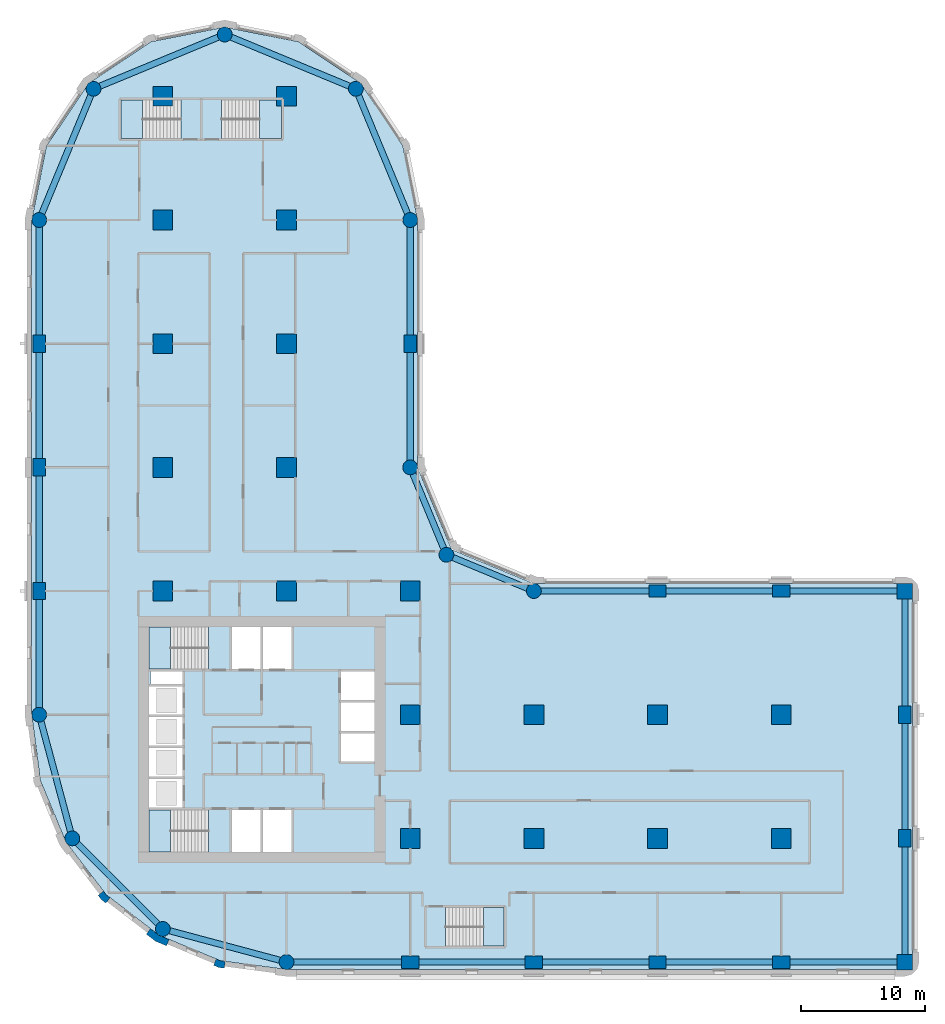
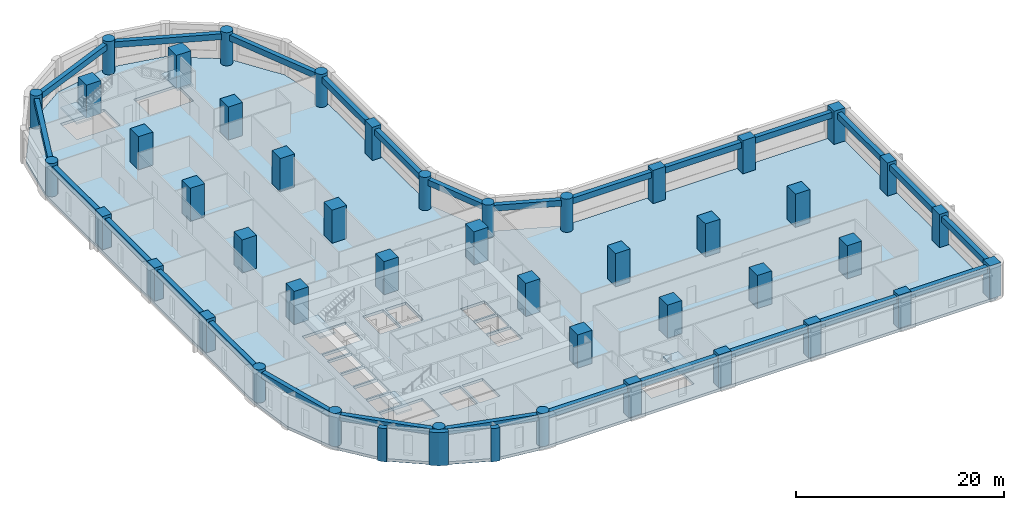
# One storey, part 1 of 10: 45 columns, 26 beams, 6 slabs, 3 walls, 5 elements without a shape of their own.
"""IFC4 building model written with IfcOpenShell, lengths in metres."""

from ifc_helpers import new_model, si_unit, direction, frame, origin, origin_2d, place, context, subcontext, project, spatial, polyline, rectangle, circle, outline, extrude, material, layer, layer_set, material_profile, profile_set, type_object, element, aggregate, save


model = new_model("IFC4")

# Units and contexts
model_context = context("Model", 3, precision=1e-05, world=origin(), true_north=direction((0.0, 1.0)))
body_context = subcontext(model_context, "Body", "Model", "MODEL_VIEW")
ifc_project = project(units=[si_unit("LENGTHUNIT", "METRE"), si_unit("AREAUNIT", "SQUARE_METRE"), si_unit("VOLUMEUNIT", "CUBIC_METRE"), si_unit("PLANEANGLEUNIT", "RADIAN"), si_unit("MASSUNIT", "GRAM", prefix="KILO")], contexts=[model_context])

# Site, building, storey
site_placement = place(None, origin())
site = spatial("IfcSite", under=ifc_project, at=site_placement, CompositionType="ELEMENT")
building_placement = place(site_placement, origin())
building = spatial("IfcBuilding", under=site, at=building_placement, Name="Qaws Garden Tower", CompositionType="ELEMENT")
storey_placement = place(building_placement, frame((0.0, 0.0, 101.699951171875)))
storey = spatial("IfcBuildingStorey", under=building, at=storey_placement, Name="L25", CompositionType="ELEMENT", Elevation=101.699951171875)

# Columns
ifc_material_1 = material(Name="Concrete C80", Category="concrete")
ifc_material_profile_1 = material_profile(ifc_material_1, rectangle(XDim=1.25, YDim=1.25, at=origin_2d()), Name="RC 1250x1250")
ifc_profile_set_1 = profile_set([ifc_material_profile_1], Name="Concrete C80")
column_type_1 = type_object("IfcColumnType", Name="Column RC 1250x1250 C80", PredefinedType="COLUMN", material=ifc_profile_set_1)
for number, where, z_axis, x_axis, name in (
    (1, (70.0, 0.0, 0.0), (0.0, 0.0, 1.0), (1.0, 0.0, 0.0), "Column L25-006"),
    (2, (70.0, 30.0, 0.0), (0.0, 0.0, 1.0), (1.0, 0.0, 0.0), "Column L25-009"),
):
    element("IfcColumn", number, at=place(storey_placement, frame(where, z_axis=z_axis, x_axis=x_axis)), inside=storey, type_object=column_type_1, Name=name, PredefinedType="COLUMN", context=body_context, shape_type="SweptSolid", body=[
        extrude(rectangle(XDim=1.25, YDim=1.25, at=origin_2d()), origin(), (0.0, 0.0, 1.0), 3.900146484375),
    ])
ifc_material_2 = material(Name="Concrete C80", Category="concrete")
ifc_material_profile_2 = material_profile(ifc_material_2, rectangle(XDim=1.39990234375, YDim=1.0, at=origin_2d()), Name="RC 1400x1000")
ifc_profile_set_2 = profile_set([ifc_material_profile_2], Name="Concrete C80")
column_type_2 = type_object("IfcColumnType", Name="Column RC 1400x1000 C80", PredefinedType="COLUMN", material=ifc_profile_set_2)
for number, where, z_axis, x_axis, name in (
    (3, (30.0, 0.0, 0.0), (0.0, 0.0, 1.0), (1.0, 0.0, 0.0), "Column L25-002"),
    (4, (40.0, 0.0, 0.0), (0.0, 0.0, 1.0), (1.0, 0.0, 0.0), "Column L25-003"),
    (5, (50.0, 0.0, 0.0), (0.0, 0.0, 1.0), (1.0, 0.0, 0.0), "Column L25-004"),
    (6, (60.0, 0.0, 0.0), (0.0, 0.0, 1.0), (1.0, 0.0, 0.0), "Column L25-005"),
    (7, (70.0, 10.0, 0.0), (0.0, 0.0, 1.0), (0.0, 1.0, 0.0), "Column L25-007"),
    (8, (70.0, 20.0, 0.0), (0.0, 0.0, 1.0), (0.0, 1.0, 0.0), "Column L25-008"),
    (9, (60.0, 30.0, 0.0), (0.0, 0.0, 1.0), (1.0, 0.0, 0.0), "Column L25-010"),
    (10, (50.0, 30.0, 0.0), (0.0, 0.0, 1.0), (1.0, 0.0, 0.0), "Column L25-011"),
    (11, (30.0, 50.0, 0.0), (0.0, 0.0, 1.0), (0.0, 1.0, 0.0), "Column L25-015"),
    (12, (0.0, 50.0, 0.0), (0.0, 0.0, 1.0), (0.0, 1.0, 0.0), "Column L25-021"),
    (13, (0.0, 40.0, 0.0), (0.0, 0.0, 1.0), (0.0, 1.0, 0.0), "Column L25-022"),
    (14, (0.0, 30.0, 0.0), (0.0, 0.0, 1.0), (0.0, 1.0, 0.0), "Column L25-023"),
):
    element("IfcColumn", number, at=place(storey_placement, frame(where, z_axis=z_axis, x_axis=x_axis)), inside=storey, type_object=column_type_2, Name=name, PredefinedType="COLUMN", context=body_context, shape_type="SweptSolid", body=[
        extrude(rectangle(XDim=1.39990234375, YDim=1.0, at=origin_2d()), origin(), (0.0, 0.0, 1.0), 3.900146484375),
    ])
ifc_material_3 = material(Name="Concrete C80", Category="concrete")
ifc_material_profile_3 = material_profile(ifc_material_3, rectangle(XDim=1.60009765625, YDim=1.60009765625, at=origin_2d()), Name="RC 1600x1600")
ifc_profile_set_3 = profile_set([ifc_material_profile_3], Name="Concrete C80")
column_type_3 = type_object("IfcColumnType", Name="Column RC 1600x1600 C80", PredefinedType="COLUMN", material=ifc_profile_set_3)
for number, where, z_axis, x_axis, name in (
    (15, (10.0, 30.0, 0.0), (0.0, 0.0, 1.0), (1.0, 0.0, 0.0), "Column L25-027"),
    (16, (10.0, 40.0, 0.0), (0.0, 0.0, 1.0), (1.0, 0.0, 0.0), "Column L25-028"),
    (17, (10.0, 50.0, 0.0), (0.0, 0.0, 1.0), (1.0, 0.0, 0.0), "Column L25-029"),
    (18, (10.0, 60.0, 0.0), (0.0, 0.0, 1.0), (1.0, 0.0, 0.0), "Column L25-030"),
    (19, (10.0, 70.0, 0.0), (0.0, 0.0, 1.0), (1.0, 0.0, 0.0), "Column L25-031"),
    (20, (20.0, 30.0, 0.0), (0.0, 0.0, 1.0), (1.0, 0.0, 0.0), "Column L25-032"),
    (21, (20.0, 40.0, 0.0), (0.0, 0.0, 1.0), (1.0, 0.0, 0.0), "Column L25-033"),
    (22, (20.0, 50.0, 0.0), (0.0, 0.0, 1.0), (1.0, 0.0, 0.0), "Column L25-034"),
    (23, (20.0, 60.0, 0.0), (0.0, 0.0, 1.0), (1.0, 0.0, 0.0), "Column L25-035"),
    (24, (20.0, 70.0, 0.0), (0.0, 0.0, 1.0), (1.0, 0.0, 0.0), "Column L25-036"),
    (25, (30.0, 10.0, 0.0), (0.0, 0.0, 1.0), (1.0, 0.0, 0.0), "Column L25-037"),
    (26, (30.0, 20.0, 0.0), (0.0, 0.0, 1.0), (1.0, 0.0, 0.0), "Column L25-038"),
    (27, (30.0, 30.0, 0.0), (0.0, 0.0, 1.0), (1.0, 0.0, 0.0), "Column L25-039"),
    (28, (40.0, 10.0, 0.0), (0.0, 0.0, 1.0), (1.0, 0.0, 0.0), "Column L25-040"),
    (29, (40.0, 20.0, 0.0), (0.0, 0.0, 1.0), (1.0, 0.0, 0.0), "Column L25-041"),
    (30, (50.0, 10.0, 0.0), (0.0, 0.0, 1.0), (1.0, 0.0, 0.0), "Column L25-042"),
    (31, (50.0, 20.0, 0.0), (0.0, 0.0, 1.0), (1.0, 0.0, 0.0), "Column L25-043"),
    (32, (60.0, 10.0, 0.0), (0.0, 0.0, 1.0), (1.0, 0.0, 0.0), "Column L25-044"),
    (33, (60.0, 20.0, 0.0), (0.0, 0.0, 1.0), (1.0, 0.0, 0.0), "Column L25-045"),
):
    element("IfcColumn", number, at=place(storey_placement, frame(where, z_axis=z_axis, x_axis=x_axis)), inside=storey, type_object=column_type_3, Name=name, PredefinedType="COLUMN", context=body_context, shape_type="SweptSolid", body=[
        extrude(rectangle(XDim=1.60009765625, YDim=1.60009765625, at=origin_2d()), origin(), (0.0, 0.0, 1.0), 3.900146484375),
    ])
ifc_material_4 = material(Name="Concrete C80", Category="concrete")
ifc_material_profile_4 = material_profile(ifc_material_4, circle(Radius=0.60009765625, at=origin_2d()), Name="RC D1200")
ifc_profile_set_4 = profile_set([ifc_material_profile_4], Name="Concrete C80")
column_type_4 = type_object("IfcColumnType", Name="Column RC D1200 C80", PredefinedType="COLUMN", material=ifc_profile_set_4)
for number, where, z_axis, x_axis, name in (
    (34, (20.0, 0.0, 0.0), (0.0, 0.0, 1.0), (1.0, 0.0, 0.0), "Column L25-001"),
    (35, (40.0, 30.0, 0.0), (0.0, 0.0, 1.0), (1.0, 0.0, 0.0), "Column L25-012"),
    (36, (32.928955078125, 32.928955078125, 0.0), (0.0, 0.0, 1.0), (1.0, 0.0, 0.0), "Column L25-013"),
    (37, (30.0, 40.0, 0.0), (0.0, 0.0, 1.0), (1.0, 0.0, 0.0), "Column L25-014"),
    (38, (30.0, 60.0, 0.0), (0.0, 0.0, 1.0), (1.0, 0.0, 0.0), "Column L25-016"),
    (39, (25.606689453125, 70.606689453125, 0.0), (0.0, 0.0, 1.0), (1.0, 0.0, 0.0), "Column L25-017"),
    (40, (15.0, 75.0, 0.0), (0.0, 0.0, 1.0), (1.0, 0.0, 0.0), "Column L25-018"),
    (41, (4.393310546875, 70.606689453125, 0.0), (0.0, 0.0, 1.0), (1.0, 0.0, 0.0), "Column L25-019"),
    (42, (0.0, 60.0, 0.0), (0.0, 0.0, 1.0), (1.0, 0.0, 0.0), "Column L25-020"),
    (43, (0.0, 20.0, 0.0), (0.0, 0.0, 1.0), (1.0, 0.0, 0.0), "Column L25-024"),
    (44, (2.679443359375, 10.0, 0.0), (0.0, 0.0, 1.0), (1.0, 0.0, 0.0), "Column L25-025"),
    (45, (10.0, 2.679443359375, 0.0), (0.0, 0.0, 1.0), (1.0, 0.0, 0.0), "Column L25-026"),
):
    element("IfcColumn", number, at=place(storey_placement, frame(where, z_axis=z_axis, x_axis=x_axis)), inside=storey, type_object=column_type_4, Name=name, PredefinedType="COLUMN", context=body_context, shape_type="SweptSolid", body=[
        extrude(circle(Radius=0.60009765625, at=origin_2d()), origin(), (0.0, 0.0, 1.0), 3.900146484375),
    ])

# Beams
ifc_material_5 = material(Name="Concrete C45", Category="concrete")
ifc_material_profile_5 = material_profile(ifc_material_5, rectangle(XDim=0.5, YDim=0.699951171875, at=origin_2d()), Name="RC 500x700")
ifc_profile_set_5 = profile_set([ifc_material_profile_5], Name="Concrete C45")
beam_type = type_object("IfcBeamType", Name="Spandrel beam RC 500x700 C45", PredefinedType="SPANDREL", material=ifc_profile_set_5)
for number, where, z_axis, x_axis, name in (
    (46, (20.0, 0.0, 3.22998046875), (1.0, 0.0, 0.0), (0.0, 1.0, 0.0), "Spandrel beam L25-001"),
    (47, (30.0, 0.0, 3.22998046875), (1.0, 0.0, 0.0), (0.0, 1.0, 0.0), "Spandrel beam L25-002"),
    (48, (40.0, 0.0, 3.22998046875), (1.0, 0.0, 0.0), (0.0, 1.0, 0.0), "Spandrel beam L25-003"),
    (49, (50.0, 0.0, 3.22998046875), (1.0, 0.0, 0.0), (0.0, 1.0, 0.0), "Spandrel beam L25-004"),
    (50, (60.0, 0.0, 3.22998046875), (1.0, 0.0, 0.0), (0.0, 1.0, 0.0), "Spandrel beam L25-005"),
    (51, (70.0, 0.0, 3.22998046875), (0.0, 1.0, 0.0), (-1.0, 0.0, 0.0), "Spandrel beam L25-006"),
    (52, (70.0, 10.0, 3.22998046875), (0.0, 1.0, 0.0), (-1.0, 0.0, 0.0), "Spandrel beam L25-007"),
    (53, (70.0, 20.0, 3.22998046875), (0.0, 1.0, 0.0), (-1.0, 0.0, 0.0), "Spandrel beam L25-008"),
    (54, (70.0, 30.0, 3.22998046875), (-1.0, 0.0, 0.0), (0.0, -1.0, 0.0), "Spandrel beam L25-009"),
    (55, (60.0, 30.0, 3.22998046875), (-1.0, 0.0, 0.0), (0.0, -1.0, 0.0), "Spandrel beam L25-010"),
    (56, (50.0, 30.0, 3.22998046875), (-1.0, 0.0, 0.0), (0.0, -1.0, 0.0), "Spandrel beam L25-011"),
):
    element("IfcBeam", number, at=place(storey_placement, frame(where, z_axis=z_axis, x_axis=x_axis)), inside=storey, type_object=beam_type, Name=name, PredefinedType="SPANDREL", context=body_context, shape_type="SweptSolid", body=[
        extrude(rectangle(XDim=0.5, YDim=0.699951171875, at=origin_2d()), origin(), (0.0, 0.0, 1.0), 10.0),
    ])
for number, where, z_axis, x_axis, name in (
    (57, (40.0, 30.0, 3.22998046875), (-0.923878037141, 0.382687042488, 0.0), (-0.382687042488, -0.923878037141, 0.0), "Spandrel beam L25-012"),
    (58, (32.928955078125, 32.928955078125, 3.22998046875), (-0.382687042488, 0.923878037141, 0.0), (-0.923878037141, -0.382687042488, 0.0), "Spandrel beam L25-013"),
):
    element("IfcBeam", number, at=place(storey_placement, frame(where, z_axis=z_axis, x_axis=x_axis)), inside=storey, type_object=beam_type, Name=name, PredefinedType="SPANDREL", context=body_context, shape_type="SweptSolid", body=[
        extrude(rectangle(XDim=0.5, YDim=0.699951171875, at=origin_2d()), origin(), (0.0, 0.0, 1.0), 7.653564453125),
    ])
for number, where, z_axis, x_axis, name in (
    (59, (30.0, 40.0, 3.22998046875), (0.0, 1.0, 0.0), (-1.0, 0.0, 0.0), "Spandrel beam L25-014"),
    (60, (30.0, 50.0, 3.22998046875), (0.0, 1.0, 0.0), (-1.0, 0.0, 0.0), "Spandrel beam L25-015"),
):
    element("IfcBeam", number, at=place(storey_placement, frame(where, z_axis=z_axis, x_axis=x_axis)), inside=storey, type_object=beam_type, Name=name, PredefinedType="SPANDREL", context=body_context, shape_type="SweptSolid", body=[
        extrude(rectangle(XDim=0.5, YDim=0.699951171875, at=origin_2d()), origin(), (0.0, 0.0, 1.0), 10.0),
    ])
for number, where, z_axis, x_axis, name in (
    (61, (30.0, 60.0, 3.22998046875), (-0.382674207535, 0.923883353507, 0.0), (-0.923883353507, -0.382674207535, 0.0), "Spandrel beam L25-016"),
    (62, (25.606689453125, 70.606689453125, 3.22998046875), (-0.923883353507, 0.382674207535, 0.0), (-0.382674207535, -0.923883353507, 0.0), "Spandrel beam L25-017"),
    (63, (15.0, 75.0, 3.22998046875), (-0.923883353507, -0.382674207535, 0.0), (0.382674207535, -0.923883353507, 0.0), "Spandrel beam L25-018"),
    (64, (4.393310546875, 70.606689453125, 3.22998046875), (-0.382674207535, -0.923883353507, 0.0), (0.923883353507, -0.382674207535, 0.0), "Spandrel beam L25-019"),
):
    element("IfcBeam", number, at=place(storey_placement, frame(where, z_axis=z_axis, x_axis=x_axis)), inside=storey, type_object=beam_type, Name=name, PredefinedType="SPANDREL", context=body_context, shape_type="SweptSolid", body=[
        extrude(rectangle(XDim=0.5, YDim=0.699951171875, at=origin_2d()), origin(), (0.0, 0.0, 1.0), 11.48046875),
    ])
for number, where, z_axis, x_axis, name in (
    (65, (0.0, 60.0, 3.22998046875), (0.0, -1.0, 0.0), (1.0, 0.0, 0.0), "Spandrel beam L25-020"),
    (66, (0.0, 50.0, 3.22998046875), (0.0, -1.0, 0.0), (1.0, 0.0, 0.0), "Spandrel beam L25-021"),
    (67, (0.0, 40.0, 3.22998046875), (0.0, -1.0, 0.0), (1.0, 0.0, 0.0), "Spandrel beam L25-022"),
    (68, (0.0, 30.0, 3.22998046875), (0.0, -1.0, 0.0), (1.0, 0.0, 0.0), "Spandrel beam L25-023"),
):
    element("IfcBeam", number, at=place(storey_placement, frame(where, z_axis=z_axis, x_axis=x_axis)), inside=storey, type_object=beam_type, Name=name, PredefinedType="SPANDREL", context=body_context, shape_type="SweptSolid", body=[
        extrude(rectangle(XDim=0.5, YDim=0.699951171875, at=origin_2d()), origin(), (0.0, 0.0, 1.0), 10.0),
    ])
for number, where, z_axis, x_axis, name in (
    (69, (0.0, 20.0, 3.22998046875), (0.25881466832, -0.965926999034, 0.0), (0.965926999034, 0.25881466832, 0.0), "Spandrel beam L25-024"),
    (70, (2.679443359375, 10.0, 3.22998046875), (0.707106781187, -0.707106781187, 0.0), (0.707106781187, 0.707106781187, 0.0), "Spandrel beam L25-025"),
    (71, (10.0, 2.679443359375, 3.22998046875), (0.965926999034, -0.25881466832, 0.0), (0.25881466832, 0.965926999034, 0.0), "Spandrel beam L25-026"),
):
    element("IfcBeam", number, at=place(storey_placement, frame(where, z_axis=z_axis, x_axis=x_axis)), inside=storey, type_object=beam_type, Name=name, PredefinedType="SPANDREL", context=body_context, shape_type="SweptSolid", body=[
        extrude(rectangle(XDim=0.5, YDim=0.699951171875, at=origin_2d()), origin(), (0.0, 0.0, 1.0), 10.352783203125),
    ])

# Slab
ifc_material_6 = material(Name="Concrete C40", Category="concrete")
ifc_layer_1 = layer(ifc_material_6, 0.320068359375)
ifc_layer_set_1 = layer_set([ifc_layer_1], Name="Concrete C40")
slab_type_1 = type_object("IfcSlabType", Name="Floor slab 320 C40", PredefinedType="FLOOR", material=ifc_layer_set_1)
slab_1_placement = place(storey_placement, frame((0.0, 0.0, -0.320068359375)))
element("IfcSlab", 72, at=slab_1_placement, inside=storey, type_object=slab_type_1, Name="Floor slab L25", PredefinedType="FLOOR", context=body_context, shape_type="SweptSolid", body=[
    extrude(outline(polyline([(0.101806640625, 14.668212890625), (-0.60009765625, 20.0), (-0.60009765625, 30.60009765625), (-0.60009765625, 60.0), (-0.60009765625, 60.0), (0.58740234375, 65.969970703125), (3.968994140625, 71.031005859375), (9.030029296875, 74.41259765625), (15.0, 75.60009765625), (20.969970703125, 74.41259765625), (26.031005859375, 71.031005859375), (29.41259765625, 65.969970703125), (30.60009765625, 60.0), (30.60009765625, 40.0), (33.353271484375, 33.353271484375), (40.0, 30.60009765625), (70.0, 30.60009765625), (70.42431640625, 30.42431640625), (70.60009765625, 30.0), (70.60009765625, 0.0), (70.42431640625, -0.42431640625), (70.0, -0.60009765625), (30.60009765625, -0.60009765625), (20.0, -0.60009765625), (14.668212890625, 0.101806640625), (9.699951171875, 2.159912109375), (5.43359375, 5.43359375), (2.159912109375, 9.699951171875), (0.101806640625, 14.668212890625)]), holes=[polyline([(13.699462890625, 12.300048828125), (8.89990234375, 12.300048828125), (8.89990234375, 8.89990234375), (13.699462890625, 8.89990234375), (13.699462890625, 12.300048828125)]), polyline([(17.89990234375, 12.300048828125), (15.60009765625, 12.300048828125), (15.60009765625, 8.89990234375), (17.89990234375, 8.89990234375), (17.89990234375, 12.300048828125)]), polyline([(11.60009765625, 14.800048828125), (8.89990234375, 14.800048828125), (8.89990234375, 12.5), (11.60009765625, 12.5), (11.60009765625, 14.800048828125)]), polyline([(11.60009765625, 17.300048828125), (8.89990234375, 17.300048828125), (8.89990234375, 15.0), (11.60009765625, 15.0), (11.60009765625, 17.300048828125)]), polyline([(11.60009765625, 19.800048828125), (8.89990234375, 19.800048828125), (8.89990234375, 17.5), (11.60009765625, 17.5), (11.60009765625, 19.800048828125)]), polyline([(11.60009765625, 22.300048828125), (8.89990234375, 22.300048828125), (8.89990234375, 20.0), (11.60009765625, 20.0), (11.60009765625, 22.300048828125)]), polyline([(11.60009765625, 23.5), (9.0, 23.5), (9.0, 22.5), (11.60009765625, 22.5), (11.60009765625, 23.5)]), polyline([(13.699462890625, 27.10009765625), (8.89990234375, 27.10009765625), (8.89990234375, 23.699951171875), (13.699462890625, 23.699951171875), (13.699462890625, 27.10009765625)]), polyline([(11.449462890625, 69.699951171875), (6.60009765625, 69.699951171875), (6.60009765625, 66.60009765625), (11.449462890625, 66.60009765625), (11.449462890625, 69.699951171875)]), polyline([(37.60009765625, 4.39990234375), (32.8505859375, 4.39990234375), (32.8505859375, 1.300048828125), (37.60009765625, 1.300048828125), (37.60009765625, 4.39990234375)]), polyline([(20.39990234375, 12.300048828125), (18.10009765625, 12.300048828125), (18.10009765625, 8.89990234375), (20.39990234375, 8.89990234375), (20.39990234375, 12.300048828125)]), polyline([(27.10009765625, 18.5), (24.39990234375, 18.5), (24.39990234375, 16.199951171875), (27.10009765625, 16.199951171875), (27.10009765625, 18.5)]), polyline([(27.10009765625, 21.0), (24.39990234375, 21.0), (24.39990234375, 18.699951171875), (27.10009765625, 18.699951171875), (27.10009765625, 21.0)]), polyline([(27.10009765625, 23.5), (24.39990234375, 23.5), (24.39990234375, 21.199951171875), (27.10009765625, 21.199951171875), (27.10009765625, 23.5)]), polyline([(17.89990234375, 27.10009765625), (15.60009765625, 27.10009765625), (15.60009765625, 23.699951171875), (17.89990234375, 23.699951171875), (17.89990234375, 27.10009765625)]), polyline([(20.39990234375, 23.699951171875), (20.39990234375, 27.10009765625), (18.10009765625, 27.10009765625), (18.10009765625, 23.699951171875), (20.39990234375, 23.699951171875)]), polyline([(19.60009765625, 66.60009765625), (19.60009765625, 69.699951171875), (14.75048828125, 69.699951171875), (14.75048828125, 66.60009765625), (19.60009765625, 66.60009765625)])]), origin(), (0.0, 0.0, 1.0), 0.320068359375),
])

# Stair, slab
ifc_material_7 = material(Name="Concrete C40", Category="concrete")
stair_type_1 = type_object("IfcStairType", Name="Exit stair 1500", PredefinedType="HALF_TURN_STAIR", material=ifc_material_7)
placement_1 = place(storey_placement, origin())
stair_1 = element("IfcStair", 73, at=placement_1, inside=storey, type_object=stair_type_1, Name="Stair 1", PredefinedType="HALF_TURN_STAIR")
ifc_material_8 = material(Name="Concrete C40", Category="concrete")
ifc_layer_2 = layer(ifc_material_8, 0.199951171875)
ifc_layer_set_2 = layer_set([ifc_layer_2], Name="Concrete C40")
slab_type_2 = type_object("IfcSlabType", Name="Stair landing 200", PredefinedType="LANDING", material=ifc_layer_set_2)
placement_2 = place(storey_placement, frame((0.0, 0.0, 1.75)))
slab_2 = element("IfcSlab", 74, at=placement_2, type_object=slab_type_2, Name="ST1 landing 1", PredefinedType="LANDING", context=body_context, shape_type="SweptSolid", body=[
    extrude(outline(polyline([(8.89990234375, 8.89990234375), (10.6201171875, 8.89990234375), (10.6201171875, 12.300048828125), (8.89990234375, 12.300048828125), (8.89990234375, 8.89990234375)])), origin(), (0.0, 0.0, 1.0), 0.199951171875),
])
aggregate(stair_1, [slab_2])

stair_2 = element("IfcStair", 75, at=placement_1, inside=storey, type_object=stair_type_1, Name="Stair 4", PredefinedType="HALF_TURN_STAIR")
slab_3 = element("IfcSlab", 76, at=placement_2, type_object=slab_type_2, Name="ST4 landing 1", PredefinedType="LANDING", context=body_context, shape_type="SweptSolid", body=[
    extrude(outline(polyline([(8.89990234375, 23.699951171875), (10.6201171875, 23.699951171875), (10.6201171875, 27.10009765625), (8.89990234375, 27.10009765625), (8.89990234375, 23.699951171875)])), origin(), (0.0, 0.0, 1.0), 0.199951171875),
])
aggregate(stair_2, [slab_3])

ifc_material_9 = material(Name="Concrete C40", Category="concrete")
stair_type_2 = type_object("IfcStairType", Name="Exit stair 1350", PredefinedType="HALF_TURN_STAIR", material=ifc_material_9)
stair_3 = element("IfcStair", 77, at=placement_1, inside=storey, type_object=stair_type_2, Name="Stair 5", PredefinedType="HALF_TURN_STAIR")
slab_4 = element("IfcSlab", 78, at=placement_2, type_object=slab_type_2, Name="ST5 landing 1", PredefinedType="LANDING", context=body_context, shape_type="SweptSolid", body=[
    extrude(outline(polyline([(35.929931640625, 1.300048828125), (37.60009765625, 1.300048828125), (37.60009765625, 4.39990234375), (35.929931640625, 4.39990234375), (35.929931640625, 1.300048828125)])), origin(), (0.0, 0.0, 1.0), 0.199951171875),
])
aggregate(stair_3, [slab_4])

stair_4 = element("IfcStair", 79, at=placement_1, inside=storey, type_object=stair_type_2, Name="Stair 6", PredefinedType="HALF_TURN_STAIR")
slab_5 = element("IfcSlab", 80, at=placement_2, type_object=slab_type_2, Name="ST6 landing 1", PredefinedType="LANDING", context=body_context, shape_type="SweptSolid", body=[
    extrude(outline(polyline([(6.60009765625, 66.60009765625), (8.3701171875, 66.60009765625), (8.3701171875, 69.699951171875), (6.60009765625, 69.699951171875), (6.60009765625, 66.60009765625)])), origin(), (0.0, 0.0, 1.0), 0.199951171875),
])
aggregate(stair_4, [slab_5])

stair_5 = element("IfcStair", 81, at=placement_1, inside=storey, type_object=stair_type_2, Name="Stair 7", PredefinedType="HALF_TURN_STAIR")
slab_6 = element("IfcSlab", 82, at=placement_2, type_object=slab_type_2, Name="ST7 landing 1", PredefinedType="LANDING", context=body_context, shape_type="SweptSolid", body=[
    extrude(outline(polyline([(17.830078125, 66.60009765625), (19.60009765625, 66.60009765625), (19.60009765625, 69.699951171875), (17.830078125, 69.699951171875), (17.830078125, 66.60009765625)])), origin(), (0.0, 0.0, 1.0), 0.199951171875),
])
aggregate(stair_5, [slab_6])

# Walls
ifc_material_10 = material(Name="Clay facing brick masonry", Category="masonry")
ifc_layer_3 = layer(ifc_material_10, 0.550048828125)
ifc_layer_set_3 = layer_set([ifc_layer_3], Name="Clay facing brick masonry")
wall_type_1 = type_object("IfcWallType", Name="Brick kink pier 550 x 600", PredefinedType="SOLIDWALL", material=ifc_layer_set_3)
element("IfcWall", 83, at=placement_1, inside=storey, type_object=wall_type_1, Name="E-L25-pier-30", PredefinedType="SOLIDWALL", context=body_context, shape_type="SweptSolid", body=[
    extrude(outline(polyline([(4.8818359375, 5.487060546875), (4.762939453125, 5.395751953125), (5.03759765625, 5.03759765625), (5.395751953125, 4.762939453125), (5.487060546875, 4.8818359375), (5.730712890625, 5.19921875), (5.429931640625, 5.429931640625), (5.19921875, 5.730712890625), (4.8818359375, 5.487060546875)])), origin(), (0.0, 0.0, 1.0), 3.900146484375),
])
element("IfcWall", 84, at=placement_1, inside=storey, type_object=wall_type_1, Name="E-L25-pier-32", PredefinedType="SOLIDWALL", context=body_context, shape_type="SweptSolid", body=[
    extrude(outline(polyline([(14.163818359375, -0.127685546875), (14.1064453125, -0.26611328125), (14.5234375, -0.43896484375), (14.970947265625, -0.497802734375), (14.990478515625, -0.34912109375), (15.042724609375, 0.04736328125), (14.6669921875, 0.096923828125), (14.31689453125, 0.241943359375), (14.163818359375, -0.127685546875)])), origin(), (0.0, 0.0, 1.0), 3.900146484375),
])
ifc_material_11 = material(Name="Clay facing brick masonry", Category="masonry")
ifc_layer_4 = layer(ifc_material_11, 0.550048828125)
ifc_layer_set_4 = layer_set([ifc_layer_4], Name="Clay facing brick masonry")
wall_type_2 = type_object("IfcWallType", Name="Brick pier 550 x 1600", PredefinedType="SOLIDWALL", material=ifc_layer_set_4)
element("IfcWall", 85, at=placement_1, inside=storey, type_object=wall_type_2, Name="E-L25-pier-31", PredefinedType="SOLIDWALL", context=body_context, shape_type="SweptSolid", body=[
    extrude(outline(polyline([(8.756591796875, 2.373046875), (8.665283203125, 2.254150390625), (9.419921875, 1.675048828125), (10.299072265625, 1.310791015625), (10.3564453125, 1.449462890625), (10.509521484375, 1.819091796875), (9.697509765625, 2.1552734375), (9.0, 2.6904296875), (8.756591796875, 2.373046875)])), origin(), (0.0, 0.0, 1.0), 3.900146484375),
])

save(model, "model.ifc")
